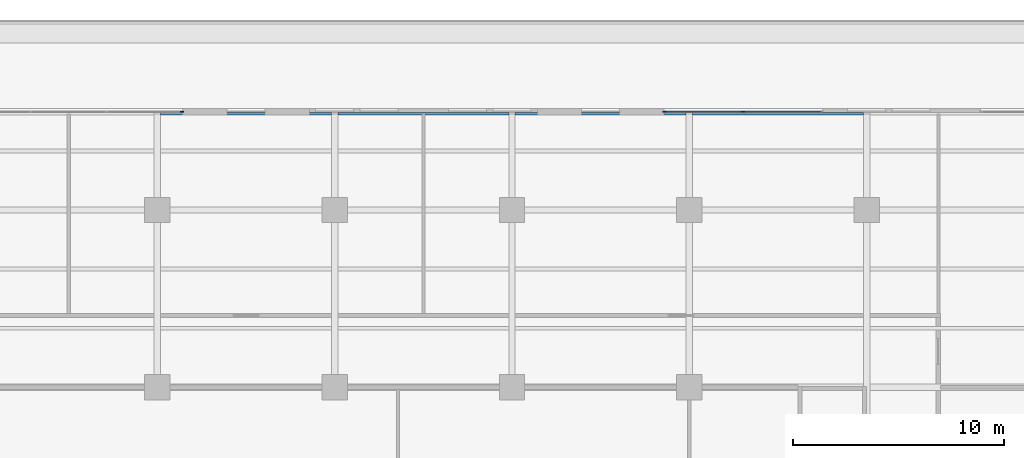
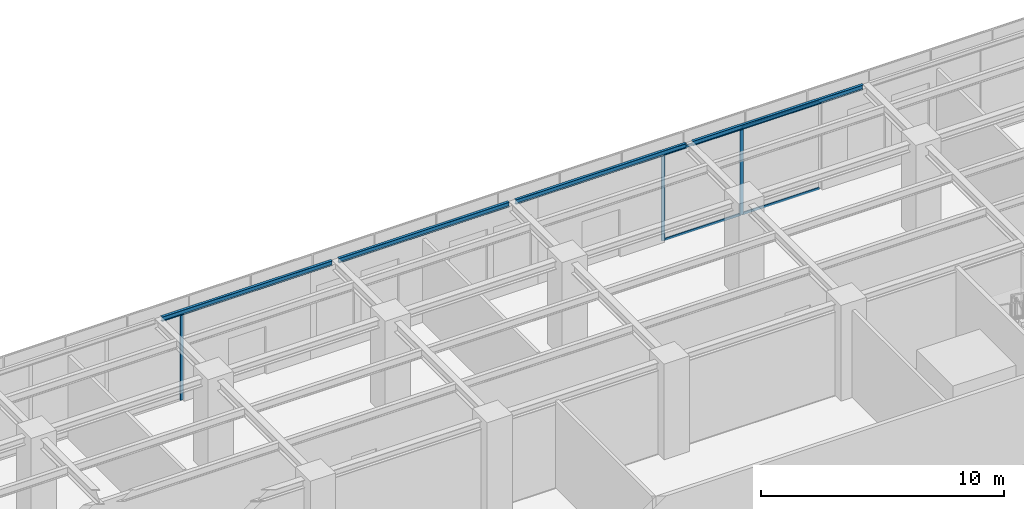
# One storey, part 13 of 32: 7 members, 4 beams, 2 elements without a shape of their own.
"""IFC4 building model written with IfcOpenShell, lengths in metres."""

from ifc_helpers import new_model, si_unit, direction, frame, origin, origin_2d, place, context, subcontext, project, spatial, rectangle, i_section, extrude, material, material_profile, profile_set, type_object, element, aggregate, save


model = new_model("IFC4")

# Units and contexts
model_context = context("Model", 3, precision=1e-05, world=origin(), true_north=direction((0.0, 1.0)))
body_context = subcontext(model_context, "Body", "Model", "MODEL_VIEW")
ifc_project = project(units=[si_unit("LENGTHUNIT", "METRE"), si_unit("AREAUNIT", "SQUARE_METRE"), si_unit("VOLUMEUNIT", "CUBIC_METRE"), si_unit("PLANEANGLEUNIT", "RADIAN"), si_unit("MASSUNIT", "GRAM", prefix="KILO")], contexts=[model_context])

# Site, building, storey
site_placement = place(None, origin())
site = spatial("IfcSite", under=ifc_project, at=site_placement, CompositionType="ELEMENT")
building_placement = place(site_placement, origin())
building = spatial("IfcBuilding", under=site, at=building_placement, Name="Khepri Terraces", CompositionType="ELEMENT")
storey_placement = place(building_placement, frame((0.0, 0.0, 12.0)))
storey = spatial("IfcBuildingStorey", under=building, at=storey_placement, Name="L02", CompositionType="ELEMENT", Elevation=12.0)

# Curtain wall, members
ifc_material_1 = material(Name="Anodised aluminium bronze curtain wall", Category="aluminium")
curtain_wall_type = type_object("IfcCurtainWallType", Name="CW-SYS2-PODIUM", PredefinedType="NOTDEFINED", material=ifc_material_1)
curtain_wall_1_placement = place(storey_placement, origin())
curtain_wall_1 = element("IfcCurtainWall", 1, at=curtain_wall_1_placement, inside=storey, type_object=curtain_wall_type, Name="Curtain wall CW2 L02 N", PredefinedType="NOTDEFINED")
ifc_material_2 = material(Name="Anodised aluminium bronze", Category="aluminium")
ifc_material_profile_1 = material_profile(ifc_material_2, rectangle(XDim=0.06005859375, YDim=0.159912109375, at=origin_2d()), Name="Anodised aluminium bronze", Category="aluminium")
ifc_profile_set_1 = profile_set([ifc_material_profile_1], Name="Anodised aluminium bronze")
member_type_1 = type_object("IfcMemberType", Name="CW-MULLION-60x160", PredefinedType="MULLION", material=ifc_profile_set_1)
member_1_placement = place(storey_placement, frame((19.35009765625, 38.25, 0.0), z_axis=(0.0, 0.0, 1.0), x_axis=(0.0, -1.0, 0.0)))
member_1 = element("IfcMember", 2, at=member_1_placement, type_object=member_type_1, Name="CW2 mullion 2", PredefinedType="MULLION", context=body_context, shape_type="SweptSolid", body=[
    extrude(rectangle(XDim=0.06005859375, YDim=0.159912109375, at=origin_2d()), origin(), (0.0, 0.0, 1.0), 4.3798828125),
])
member_2_placement = place(storey_placement, frame((15.6298828125, 38.25, 0.0), z_axis=(0.0, 0.0, 1.0), x_axis=(0.0, -1.0, 0.0)))
member_2 = element("IfcMember", 3, at=member_2_placement, type_object=member_type_1, Name="CW2 mullion 3", PredefinedType="MULLION", context=body_context, shape_type="SweptSolid", body=[
    extrude(rectangle(XDim=0.06005859375, YDim=0.159912109375, at=origin_2d()), origin(), (0.0, 0.0, 1.0), 4.3798828125),
])

# Curtain wall, member
curtain_wall_2_placement = place(storey_placement, origin())
curtain_wall_2 = element("IfcCurtainWall", 4, at=curtain_wall_2_placement, inside=storey, type_object=curtain_wall_type, Name="Curtain wall CW2 L02 N", PredefinedType="NOTDEFINED")
member_3_placement = place(storey_placement, frame((-7.22998046875, 38.25, 0.0), z_axis=(0.0, 0.0, 1.0), x_axis=(0.0, -1.0, 0.0)))
member_3 = element("IfcMember", 5, at=member_3_placement, type_object=member_type_1, Name="CW2 mullion 1", PredefinedType="MULLION", context=body_context, shape_type="SweptSolid", body=[
    extrude(rectangle(XDim=0.06005859375, YDim=0.159912109375, at=origin_2d()), origin(), (0.0, 0.0, 1.0), 4.3798828125),
])
aggregate(curtain_wall_2, [member_3])

# Member
ifc_material_profile_2 = material_profile(ifc_material_2, rectangle(XDim=0.06005859375, YDim=0.1201171875, at=origin_2d()), Name="Anodised aluminium bronze", Category="aluminium")
ifc_profile_set_2 = profile_set([ifc_material_profile_2], Name="Anodised aluminium bronze")
member_type_2 = type_object("IfcMemberType", Name="CW-TRANSOM-60x120", PredefinedType="USERDEFINED", material=ifc_profile_set_2)
member_4_placement = place(storey_placement, frame((23.0400390625, 38.25, 0.030029296875), z_axis=(-1.0, 0.0, 0.0), x_axis=(0.0, -1.0, 0.0)))
member_4 = element("IfcMember", 6, at=member_4_placement, type_object=member_type_2, Name="CW2 transom 1.1", ObjectType="TRANSOM", PredefinedType="USERDEFINED", context=body_context, shape_type="SweptSolid", body=[
    extrude(rectangle(XDim=0.06005859375, YDim=0.1201171875, at=origin_2d()), origin(), (0.0, 0.0, 1.0), 3.66015625),
])

member_5_placement = place(storey_placement, frame((23.0400390625, 38.25, 4.35009765625), z_axis=(-1.0, 0.0, 0.0), x_axis=(0.0, -1.0, 0.0)))
member_5 = element("IfcMember", 7, at=member_5_placement, type_object=member_type_2, Name="CW2 transom 1.2", ObjectType="TRANSOM", PredefinedType="USERDEFINED", context=body_context, shape_type="SweptSolid", body=[
    extrude(rectangle(XDim=0.06005859375, YDim=0.1201171875, at=origin_2d()), origin(), (0.0, 0.0, 1.0), 3.66015625),
])

member_6_placement = place(storey_placement, frame((19.320068359375, 38.25, 0.030029296875), z_axis=(-1.0, 0.0, 0.0), x_axis=(0.0, -1.0, 0.0)))
member_6 = element("IfcMember", 8, at=member_6_placement, type_object=member_type_2, Name="CW2 transom 2.1", ObjectType="TRANSOM", PredefinedType="USERDEFINED", context=body_context, shape_type="SweptSolid", body=[
    extrude(rectangle(XDim=0.06005859375, YDim=0.1201171875, at=origin_2d()), origin(), (0.0, 0.0, 1.0), 3.66015625),
])

member_7_placement = place(storey_placement, frame((19.320068359375, 38.25, 4.35009765625), z_axis=(-1.0, 0.0, 0.0), x_axis=(0.0, -1.0, 0.0)))
member_7 = element("IfcMember", 9, at=member_7_placement, type_object=member_type_2, Name="CW2 transom 2.2", ObjectType="TRANSOM", PredefinedType="USERDEFINED", context=body_context, shape_type="SweptSolid", body=[
    extrude(rectangle(XDim=0.06005859375, YDim=0.1201171875, at=origin_2d()), origin(), (0.0, 0.0, 1.0), 3.66015625),
])

aggregate(curtain_wall_1, [member_1, member_2, member_4, member_5, member_6, member_7])

# Beams
ifc_material_3 = material(Name="Steel S355", Category="steel")
ifc_material_profile_3 = material_profile(ifc_material_3, i_section(OverallWidth=0.1201171875, OverallDepth=0.239990234375, WebThickness=0.006103515625, FlangeThickness=0.009765625, FilletRadius=0.014892578125, at=origin_2d()), Name="Steel S355", Category="steel")
ifc_profile_set_3 = profile_set([ifc_material_profile_3], Name="Steel S355")
beam_type = type_object("IfcBeamType", Name="Podium edge beam L03 IPE 240", PredefinedType="SPANDREL", material=ifc_profile_set_3)
for number, where, z_axis, x_axis, name in (
    (10, (-8.25, 38.14990234375, 4.47998046875), (1.0, 0.0, 0.0), (0.0, 1.0, 0.0), "Podium edge beam L03 015"),
    (11, (0.14990234375, 38.14990234375, 4.47998046875), (1.0, 0.0, 0.0), (0.0, 1.0, 0.0), "Podium edge beam L03 016"),
):
    element("IfcBeam", number, at=place(storey_placement, frame(where, z_axis=z_axis, x_axis=x_axis)), inside=storey, type_object=beam_type, Name=name, PredefinedType="SPANDREL", context=body_context, shape_type="SweptSolid", body=[
        extrude(i_section(OverallWidth=0.1201171875, OverallDepth=0.239990234375, WebThickness=0.006103515625, FlangeThickness=0.009765625, FilletRadius=0.014892578125, at=origin_2d()), origin(), (0.0, 0.0, 1.0), 8.10009765625),
    ])
beam_1_placement = place(storey_placement, frame((8.550048828125, 38.14990234375, 4.47998046875), z_axis=(1.0, 0.0, 0.0), x_axis=(0.0, 1.0, 0.0)))
element("IfcBeam", 12, at=beam_1_placement, inside=storey, type_object=beam_type, Name="Podium edge beam L03 017", PredefinedType="SPANDREL", context=body_context, shape_type="SweptSolid", body=[
    extrude(i_section(OverallWidth=0.1201171875, OverallDepth=0.239990234375, WebThickness=0.006103515625, FlangeThickness=0.009765625, FilletRadius=0.014892578125, at=origin_2d()), origin(), (0.0, 0.0, 1.0), 8.099853515625),
])
beam_2_placement = place(storey_placement, frame((16.949951171875, 38.14990234375, 4.47998046875), z_axis=(1.0, 0.0, 0.0), x_axis=(0.0, 1.0, 0.0)))
element("IfcBeam", 13, at=beam_2_placement, inside=storey, type_object=beam_type, Name="Podium edge beam L03 018", PredefinedType="SPANDREL", context=body_context, shape_type="SweptSolid", body=[
    extrude(i_section(OverallWidth=0.1201171875, OverallDepth=0.239990234375, WebThickness=0.006103515625, FlangeThickness=0.009765625, FilletRadius=0.014892578125, at=origin_2d()), origin(), (0.0, 0.0, 1.0), 8.10009765625),
])

save(model, "model.ifc")
